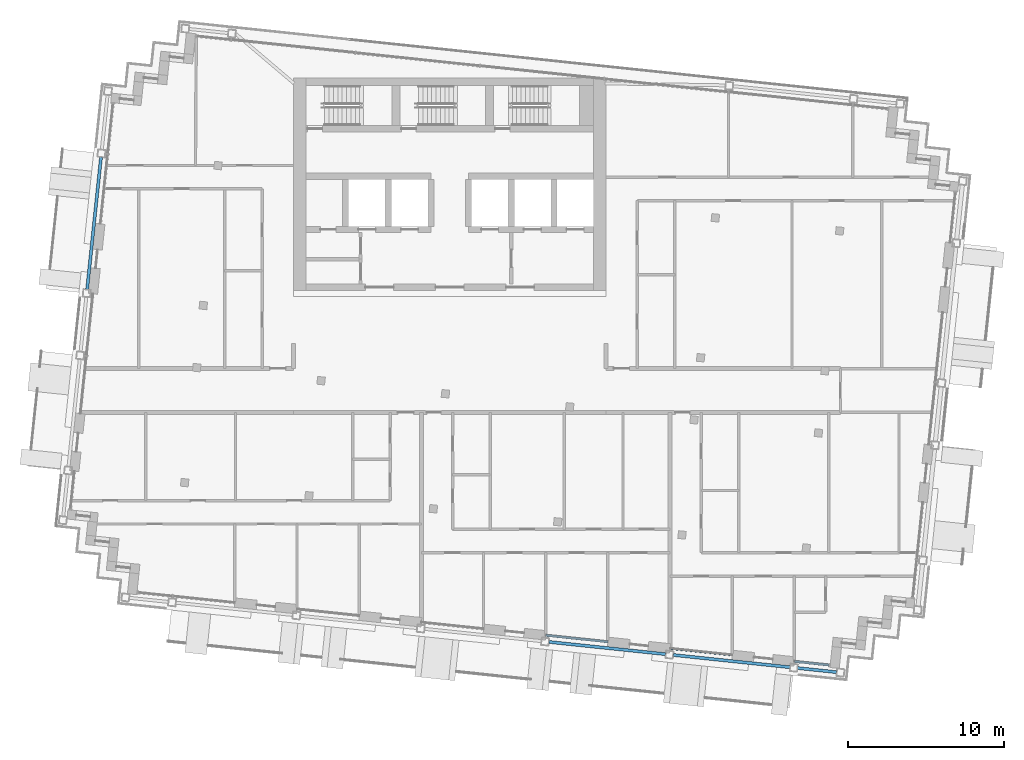
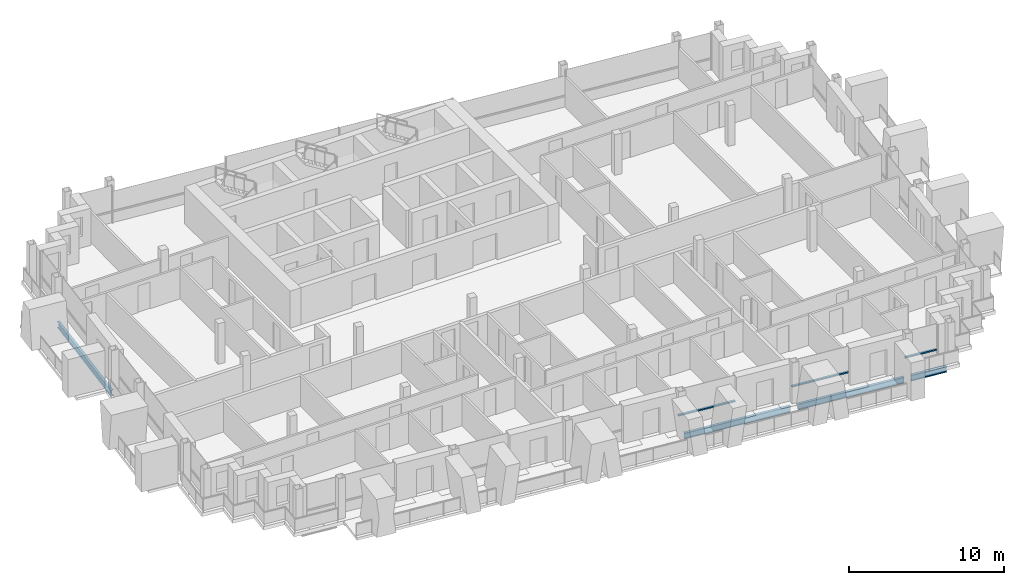
# One storey, part 3 of 17: 4 beams, 3 members, 3 elements without a shape of their own.
"""IFC4 building model written with IfcOpenShell, lengths in metres."""

from ifc_helpers import new_model, si_unit, direction, frame, origin, origin_2d, place, context, subcontext, project, spatial, rectangle, i_section, extrude, material, material_profile, profile_set, type_object, element, aggregate, save


model = new_model("IFC4")

# Units and contexts
model_context = context("Model", 3, precision=1e-05, world=origin(), true_north=direction((0.0, 1.0)))
body_context = subcontext(model_context, "Body", "Model", "MODEL_VIEW")
ifc_project = project(units=[si_unit("LENGTHUNIT", "METRE"), si_unit("AREAUNIT", "SQUARE_METRE"), si_unit("VOLUMEUNIT", "CUBIC_METRE"), si_unit("PLANEANGLEUNIT", "RADIAN"), si_unit("MASSUNIT", "GRAM", prefix="KILO")], contexts=[model_context])

# Site, building, storey
site_placement = place(None, origin())
site = spatial("IfcSite", under=ifc_project, at=site_placement, CompositionType="ELEMENT")
building_placement = place(site_placement, origin())
building = spatial("IfcBuilding", under=site, at=building_placement, Name="Vidyagriha Tower", CompositionType="ELEMENT")
storey_placement = place(building_placement, frame((0.0, 0.0, 262.699951171875)))
storey = spatial("IfcBuildingStorey", under=building, at=storey_placement, Name="L68", CompositionType="ELEMENT", Elevation=262.699951171875)

# Beams
ifc_material_1 = material(Name="Steel ASTM A992 Grade 50", Category="steel")
ifc_material_profile_1 = material_profile(ifc_material_1, i_section(OverallWidth=0.19189453125, OverallDepth=0.46240234375, WebThickness=0.010498046875, FlangeThickness=0.017578125, at=origin_2d()), Name="W18X60")
ifc_profile_set_1 = profile_set([ifc_material_profile_1], Name="Steel ASTM A992 Grade 50")
beam_type = type_object("IfcBeamType", Name="Edge beam W18X60", PredefinedType="SPANDREL", material=ifc_profile_set_1)
for number, where, z_axis, x_axis, name in (
    (1, (6.3486328125, -16.091064453125, -0.510986328125), (0.994522384662, -0.104523807841, 0.0), (0.104523807841, 0.994522384662, 0.0), "st-beam-L68-S05"),
    (2, (14.304931640625, -16.92724609375, -0.510986328125), (0.994522384662, -0.104523807841, 0.0), (0.104523807841, 0.994522384662, 0.0), "st-beam-L68-S06"),
):
    element("IfcBeam", number, at=place(storey_placement, frame(where, z_axis=z_axis, x_axis=x_axis)), inside=storey, type_object=beam_type, Name=name, PredefinedType="SPANDREL", context=body_context, shape_type="SweptSolid", body=[
        extrude(i_section(OverallWidth=0.19189453125, OverallDepth=0.46240234375, WebThickness=0.010498046875, FlangeThickness=0.017578125, at=origin_2d()), origin(), (0.0, 0.0, 1.0), 7.5),
    ])
beam_1_placement = place(storey_placement, frame((22.260986328125, -17.763427734375, -0.510986328125), z_axis=(0.994515615024, -0.104588199498, 0.0), x_axis=(0.104588199498, 0.994515615024, 0.0)))
element("IfcBeam", 3, at=beam_1_placement, inside=storey, type_object=beam_type, Name="st-beam-L68-S07", PredefinedType="SPANDREL", context=body_context, shape_type="SweptSolid", body=[
    extrude(i_section(OverallWidth=0.19189453125, OverallDepth=0.46240234375, WebThickness=0.010498046875, FlangeThickness=0.017578125, at=origin_2d()), origin(), (0.0, 0.0, 1.0), 2.5),
])
beam_2_placement = place(storey_placement, frame((-23.20458984375, 6.4716796875, -0.510986328125), z_axis=(0.104518825829, 0.994522908257, 0.0), x_axis=(-0.994522908257, 0.104518825829, 0.0)))
element("IfcBeam", 4, at=beam_2_placement, inside=storey, type_object=beam_type, Name="st-beam-L68-W11", PredefinedType="SPANDREL", context=body_context, shape_type="SweptSolid", body=[
    extrude(i_section(OverallWidth=0.19189453125, OverallDepth=0.46240234375, WebThickness=0.010498046875, FlangeThickness=0.017578125, at=origin_2d()), origin(), (0.0, 0.0, 1.0), 8.500244140625),
])

# Curtain wall, member
ifc_material_2 = material(Name="Aluminium and glass curtain wall", Category="aluminium")
curtain_wall_type = type_object("IfcCurtainWallType", Name="Dwelling skin unitised curtain wall", PredefinedType="USERDEFINED", material=ifc_material_2)
curtain_wall_1_placement = place(storey_placement, origin())
curtain_wall_1 = element("IfcCurtainWall", 5, at=curtain_wall_1_placement, inside=storey, type_object=curtain_wall_type, Name="CW1 dwelling skin", ObjectType="UNITISED", PredefinedType="USERDEFINED")
ifc_material_3 = material(Name="Aluminium black anodised", Category="aluminium")
ifc_material_profile_2 = material_profile(ifc_material_3, rectangle(XDim=0.159912109375, YDim=0.10009765625, at=origin_2d()), Name="Transom 100x160 black aluminium")
ifc_profile_set_2 = profile_set([ifc_material_profile_2], Name="Aluminium black anodised")
member_type = type_object("IfcMemberType", Name="Transom 100x160 black aluminium", PredefinedType="USERDEFINED", material=ifc_profile_set_2)
member_1_placement = place(storey_placement, frame((6.141845703125, -15.6669921875, 0.900146484375), z_axis=(0.99451982373, -0.104548171712, 0.0), x_axis=(0.104548171712, 0.99451982373, 0.0)))
member_1 = element("IfcMember", 6, at=member_1_placement, type_object=member_type, Name="CW1 transom 1.1", ObjectType="TRANSOM", PredefinedType="USERDEFINED", context=body_context, shape_type="SweptSolid", body=[
    extrude(rectangle(XDim=0.159912109375, YDim=0.10009765625, at=origin_2d()), origin(), (0.0, 0.0, 1.0), 4.000244140625),
])
aggregate(curtain_wall_1, [member_1])

curtain_wall_2_placement = place(storey_placement, origin())
curtain_wall_2 = element("IfcCurtainWall", 7, at=curtain_wall_2_placement, inside=storey, type_object=curtain_wall_type, Name="CW1 dwelling skin", ObjectType="UNITISED", PredefinedType="USERDEFINED")
member_2_placement = place(storey_placement, frame((14.09814453125, -16.50341796875, 0.900146484375), z_axis=(0.99452550138, -0.104494148666, 0.0), x_axis=(0.104494148666, 0.99452550138, 0.0)))
member_2 = element("IfcMember", 8, at=member_2_placement, type_object=member_type, Name="CW1 transom 1.1", ObjectType="TRANSOM", PredefinedType="USERDEFINED", context=body_context, shape_type="SweptSolid", body=[
    extrude(rectangle(XDim=0.159912109375, YDim=0.10009765625, at=origin_2d()), origin(), (0.0, 0.0, 1.0), 4.0),
])
aggregate(curtain_wall_2, [member_2])

curtain_wall_3_placement = place(storey_placement, origin())
curtain_wall_3 = element("IfcCurtainWall", 9, at=curtain_wall_3_placement, inside=storey, type_object=curtain_wall_type, Name="CW1 dwelling skin", ObjectType="UNITISED", PredefinedType="USERDEFINED")
member_3_placement = place(storey_placement, frame((22.05419921875, -17.339599609375, 0.900146484375), z_axis=(0.994530619876, -0.10444542177, 0.0), x_axis=(0.10444542177, 0.994530619876, 0.0)))
member_3 = element("IfcMember", 10, at=member_3_placement, type_object=member_type, Name="CW1 transom 1.1", ObjectType="TRANSOM", PredefinedType="USERDEFINED", context=body_context, shape_type="SweptSolid", body=[
    extrude(rectangle(XDim=0.159912109375, YDim=0.10009765625, at=origin_2d()), origin(), (0.0, 0.0, 1.0), 2.22998046875),
])
aggregate(curtain_wall_3, [member_3])

save(model, "model.ifc")
